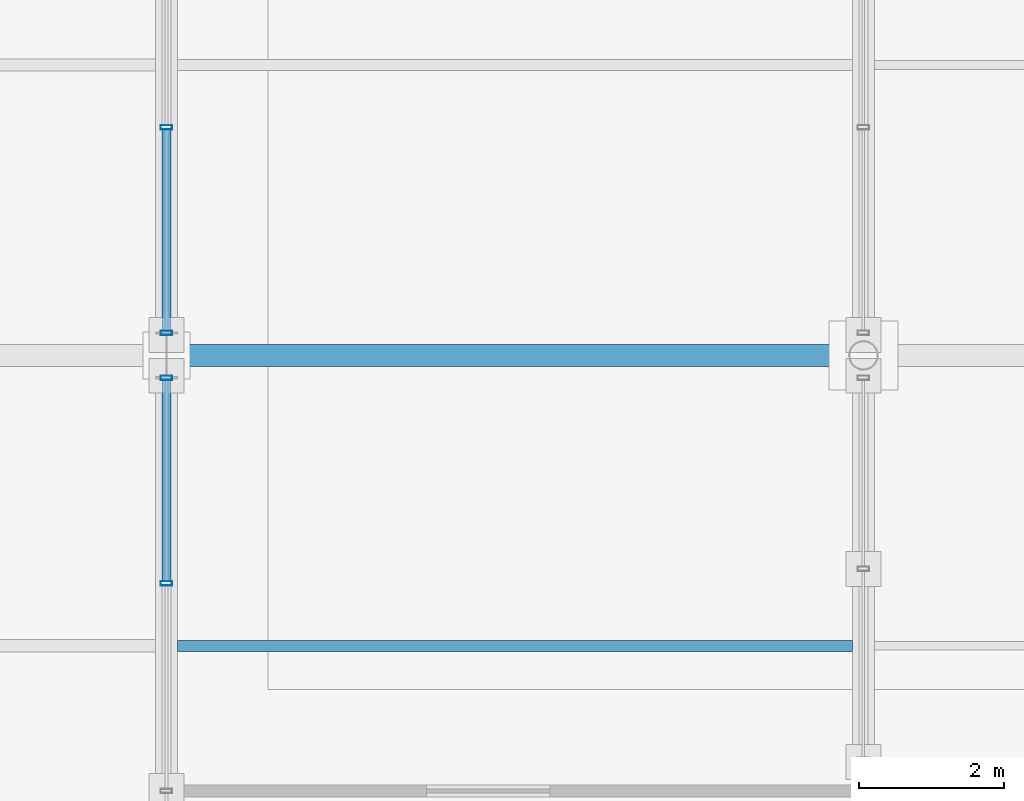
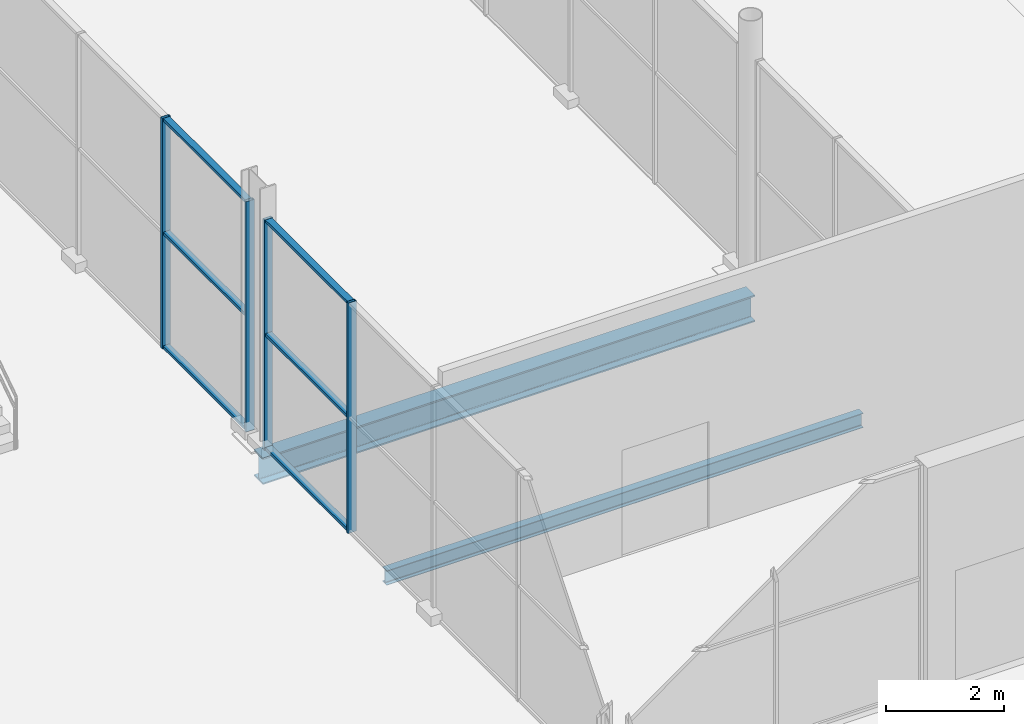
# One storey, part 44 of 196: 10 members, 2 beams, 2 elements without a shape of their own.
"""IFC4 building model written with IfcOpenShell, lengths in metres."""

from ifc_helpers import new_model, si_unit, direction, frame, origin, origin_2d, place, context, subcontext, project, spatial, hollow_rectangle, i_section, extrude, material, material_profile, profile_set, type_object, element, aggregate, save


model = new_model("IFC4")

# Units and contexts
model_context = context("Model", 3, precision=1e-05, world=origin(), true_north=direction((0.0, 1.0)))
body_context = subcontext(model_context, "Body", "Model", "MODEL_VIEW")
ifc_project = project(units=[si_unit("LENGTHUNIT", "METRE"), si_unit("AREAUNIT", "SQUARE_METRE"), si_unit("VOLUMEUNIT", "CUBIC_METRE"), si_unit("PLANEANGLEUNIT", "RADIAN"), si_unit("MASSUNIT", "GRAM", prefix="KILO")], contexts=[model_context])

# Site, building, storey
site_placement = place(None, origin())
site = spatial("IfcSite", under=ifc_project, at=site_placement, CompositionType="ELEMENT")
building_placement = place(site_placement, origin())
building = spatial("IfcBuilding", under=site, at=building_placement, Name="Merenkruunu Market Hall", CompositionType="ELEMENT")
storey_placement = place(building_placement, origin())
storey = spatial("IfcBuildingStorey", under=building, at=storey_placement, Name="L00", CompositionType="ELEMENT", Elevation=0.0)

# Curtain wall, members
ifc_material_1 = material(Name="Powder-coated aluminium", Category="aluminium")
curtain_wall_type = type_object("IfcCurtainWallType", Name="Glazed Curtain Wall CW02", PredefinedType="USERDEFINED", material=ifc_material_1)
curtain_wall_1_placement = place(storey_placement, origin())
curtain_wall_1 = element("IfcCurtainWall", 1, at=curtain_wall_1_placement, inside=storey, type_object=curtain_wall_type, Name="CW-L00-CWM01-121", ObjectType="GLAZED_FACADE", PredefinedType="USERDEFINED")
ifc_material_profile_1 = material_profile(ifc_material_1, hollow_rectangle(XDim=0.06005859375, YDim=0.159912109375, WallThickness=0.00390625, at=origin_2d()), Name="ALU 60x160x4")
ifc_profile_set_1 = profile_set([ifc_material_profile_1], Name="Powder-coated aluminium")
member_type_1 = type_object("IfcMemberType", Name="Curtain Wall Mullion CWM01", PredefinedType="MULLION", material=ifc_profile_set_1)
member_1_placement = place(storey_placement, frame((57.60009765625, 24.4599609375, 0.0), z_axis=(0.0, 0.0, 1.0), x_axis=(0.0, 1.0, 0.0)))
member_1 = element("IfcMember", 2, at=member_1_placement, type_object=member_type_1, Name="CW02 mullion 4", PredefinedType="MULLION", context=body_context, shape_type="SweptSolid", body=[
    extrude(hollow_rectangle(XDim=0.06005859375, YDim=0.159912109375, WallThickness=0.00390625, at=origin_2d()), origin(), (0.0, 0.0, 1.0), 4.75),
])
member_2_placement = place(storey_placement, frame((57.60009765625, 27.2900390625, 0.0), z_axis=(0.0, 0.0, 1.0), x_axis=(0.0, 1.0, 0.0)))
member_2 = element("IfcMember", 3, at=member_2_placement, type_object=member_type_1, Name="CW02 mullion 5", PredefinedType="MULLION", context=body_context, shape_type="SweptSolid", body=[
    extrude(hollow_rectangle(XDim=0.06005859375, YDim=0.159912109375, WallThickness=0.00390625, at=origin_2d()), origin(), (0.0, 0.0, 1.0), 4.75),
])

curtain_wall_2_placement = place(storey_placement, origin())
curtain_wall_2 = element("IfcCurtainWall", 4, at=curtain_wall_2_placement, inside=storey, type_object=curtain_wall_type, Name="CW-L00-CWM01-124", ObjectType="GLAZED_FACADE", PredefinedType="USERDEFINED")
member_3_placement = place(storey_placement, frame((57.60009765625, 27.909912109375, 0.0), z_axis=(0.0, 0.0, 1.0), x_axis=(0.0, 1.0, 0.0)))
member_3 = element("IfcMember", 5, at=member_3_placement, type_object=member_type_1, Name="CW02 mullion 1", PredefinedType="MULLION", context=body_context, shape_type="SweptSolid", body=[
    extrude(hollow_rectangle(XDim=0.06005859375, YDim=0.159912109375, WallThickness=0.00390625, at=origin_2d()), origin(), (0.0, 0.0, 1.0), 4.75),
])
member_4_placement = place(storey_placement, frame((57.60009765625, 30.739990234375, 0.0), z_axis=(0.0, 0.0, 1.0), x_axis=(0.0, 1.0, 0.0)))
member_4 = element("IfcMember", 6, at=member_4_placement, type_object=member_type_1, Name="CW02 mullion 2", PredefinedType="MULLION", context=body_context, shape_type="SweptSolid", body=[
    extrude(hollow_rectangle(XDim=0.06005859375, YDim=0.159912109375, WallThickness=0.00390625, at=origin_2d()), origin(), (0.0, 0.0, 1.0), 4.75),
])

# Member
ifc_material_profile_2 = material_profile(ifc_material_1, hollow_rectangle(XDim=0.06005859375, YDim=0.125, WallThickness=0.00390625, at=origin_2d()), Name="ALU 60x125x4")
ifc_profile_set_2 = profile_set([ifc_material_profile_2], Name="Powder-coated aluminium")
member_type_2 = type_object("IfcMemberType", Name="Curtain Wall Transom CWT01", PredefinedType="USERDEFINED", material=ifc_profile_set_2)
member_5_placement = place(storey_placement, frame((57.60009765625, 24.489990234375, 0.030029296875), z_axis=(0.0, 1.0, 0.0), x_axis=(0.0, 0.0, 1.0)))
member_5 = element("IfcMember", 7, at=member_5_placement, type_object=member_type_2, Name="CW02 transom 4.1", ObjectType="TRANSOM", PredefinedType="USERDEFINED", context=body_context, shape_type="SweptSolid", body=[
    extrude(hollow_rectangle(XDim=0.06005859375, YDim=0.125, WallThickness=0.00390625, at=origin_2d()), origin(), (0.0, 0.0, 1.0), 2.77001953125),
])

member_6_placement = place(storey_placement, frame((57.60009765625, 24.489990234375, 2.375), z_axis=(0.0, 1.0, 0.0), x_axis=(0.0, 0.0, 1.0)))
member_6 = element("IfcMember", 8, at=member_6_placement, type_object=member_type_2, Name="CW02 transom 4.2", ObjectType="TRANSOM", PredefinedType="USERDEFINED", context=body_context, shape_type="SweptSolid", body=[
    extrude(hollow_rectangle(XDim=0.06005859375, YDim=0.125, WallThickness=0.00390625, at=origin_2d()), origin(), (0.0, 0.0, 1.0), 2.77001953125),
])

member_7_placement = place(storey_placement, frame((57.60009765625, 24.489990234375, 4.719970703125), z_axis=(0.0, 1.0, 0.0), x_axis=(0.0, 0.0, 1.0)))
member_7 = element("IfcMember", 9, at=member_7_placement, type_object=member_type_2, Name="CW02 transom 4.3", ObjectType="TRANSOM", PredefinedType="USERDEFINED", context=body_context, shape_type="SweptSolid", body=[
    extrude(hollow_rectangle(XDim=0.06005859375, YDim=0.125, WallThickness=0.00390625, at=origin_2d()), origin(), (0.0, 0.0, 1.0), 2.77001953125),
])

aggregate(curtain_wall_1, [member_1, member_2, member_5, member_6, member_7])

member_8_placement = place(storey_placement, frame((57.60009765625, 27.93994140625, 0.030029296875), z_axis=(0.0, 1.0, 0.0), x_axis=(0.0, 0.0, 1.0)))
member_8 = element("IfcMember", 10, at=member_8_placement, type_object=member_type_2, Name="CW02 transom 1.1", ObjectType="TRANSOM", PredefinedType="USERDEFINED", context=body_context, shape_type="SweptSolid", body=[
    extrude(hollow_rectangle(XDim=0.06005859375, YDim=0.125, WallThickness=0.00390625, at=origin_2d()), origin(), (0.0, 0.0, 1.0), 2.77001953125),
])

member_9_placement = place(storey_placement, frame((57.60009765625, 27.93994140625, 2.375), z_axis=(0.0, 1.0, 0.0), x_axis=(0.0, 0.0, 1.0)))
member_9 = element("IfcMember", 11, at=member_9_placement, type_object=member_type_2, Name="CW02 transom 1.2", ObjectType="TRANSOM", PredefinedType="USERDEFINED", context=body_context, shape_type="SweptSolid", body=[
    extrude(hollow_rectangle(XDim=0.06005859375, YDim=0.125, WallThickness=0.00390625, at=origin_2d()), origin(), (0.0, 0.0, 1.0), 2.77001953125),
])

member_10_placement = place(storey_placement, frame((57.60009765625, 27.93994140625, 4.719970703125), z_axis=(0.0, 1.0, 0.0), x_axis=(0.0, 0.0, 1.0)))
member_10 = element("IfcMember", 12, at=member_10_placement, type_object=member_type_2, Name="CW02 transom 1.3", ObjectType="TRANSOM", PredefinedType="USERDEFINED", context=body_context, shape_type="SweptSolid", body=[
    extrude(hollow_rectangle(XDim=0.06005859375, YDim=0.125, WallThickness=0.00390625, at=origin_2d()), origin(), (0.0, 0.0, 1.0), 2.77001953125),
])

aggregate(curtain_wall_2, [member_3, member_4, member_8, member_9, member_10])

# Beams
ifc_material_2 = material(Name="Steel S355J2", Category="steel")
ifc_material_profile_3 = material_profile(ifc_material_2, i_section(OverallWidth=0.300048828125, OverallDepth=0.550048828125, WebThickness=0.014892578125, FlangeThickness=0.029052734375, FilletRadius=0.027099609375, at=origin_2d()), Name="HEB 550")
ifc_profile_set_3 = profile_set([ifc_material_profile_3], Name="Steel S355J2")
beam_type_1 = type_object("IfcBeamType", Name="Primary Floor Girder B02", PredefinedType="BEAM", material=ifc_profile_set_3)
beam_1_placement = place(storey_placement, frame((57.60009765625, 27.60009765625, -0.574951171875), z_axis=(1.0, 0.0, 0.0), x_axis=(0.0, 1.0, 0.0)))
element("IfcBeam", 13, at=beam_1_placement, inside=storey, type_object=beam_type_1, Name="BM-L00-B02-0033", PredefinedType="BEAM", context=body_context, shape_type="SweptSolid", body=[
    extrude(i_section(OverallWidth=0.300048828125, OverallDepth=0.550048828125, WebThickness=0.014892578125, FlangeThickness=0.029052734375, FilletRadius=0.027099609375, at=origin_2d()), origin(), (0.0, 0.0, 1.0), 9.599853515625),
])
ifc_material_profile_4 = material_profile(ifc_material_2, i_section(OverallWidth=0.14990234375, OverallDepth=0.300048828125, WebThickness=0.007080078125, FlangeThickness=0.0107421875, FilletRadius=0.014892578125, at=origin_2d()), Name="IPE 300")
ifc_profile_set_4 = profile_set([ifc_material_profile_4], Name="Steel S355J2")
beam_type_2 = type_object("IfcBeamType", Name="Secondary Floor Joist J04", PredefinedType="JOIST", material=ifc_profile_set_4)
beam_2_placement = place(storey_placement, frame((57.7529296875, 23.60009765625, -0.449951171875), z_axis=(1.0, 0.0, 0.0), x_axis=(0.0, 1.0, 0.0)))
element("IfcBeam", 14, at=beam_2_placement, inside=storey, type_object=beam_type_2, Name="BM-L00-J04-0347", PredefinedType="JOIST", context=body_context, shape_type="SweptSolid", body=[
    extrude(i_section(OverallWidth=0.14990234375, OverallDepth=0.300048828125, WebThickness=0.007080078125, FlangeThickness=0.0107421875, FilletRadius=0.014892578125, at=origin_2d()), origin(), (0.0, 0.0, 1.0), 9.294189453125),
])

save(model, "model.ifc")
